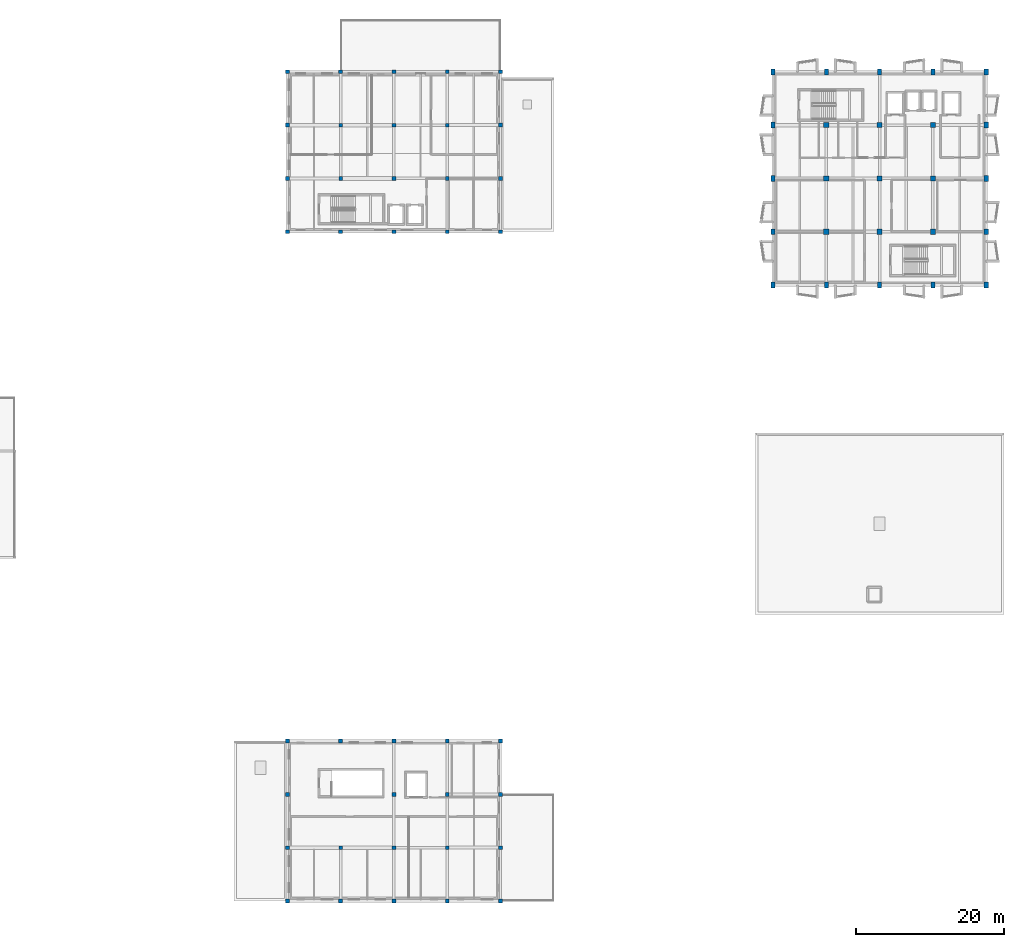
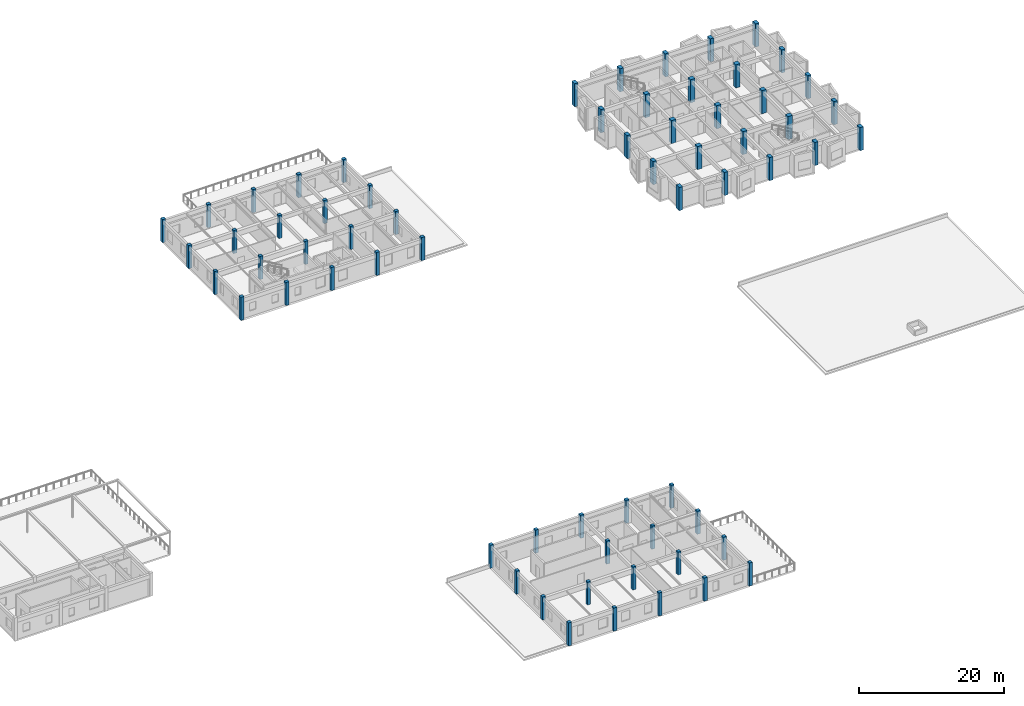
# One storey, part 3 of 20: 64 columns.
"""IFC4 building model written with IfcOpenShell, lengths in metres."""

from ifc_helpers import new_model, si_unit, direction, frame, origin, origin_2d, place, context, subcontext, project, spatial, rectangle, extrude, material, material_profile, profile_set, type_object, element, save


model = new_model("IFC4")

# Units and contexts
model_context = context("Model", 3, precision=1e-05, world=origin(), true_north=direction((0.0, 1.0)))
body_context = subcontext(model_context, "Body", "Model", "MODEL_VIEW")
ifc_project = project(units=[si_unit("LENGTHUNIT", "METRE"), si_unit("AREAUNIT", "SQUARE_METRE"), si_unit("VOLUMEUNIT", "CUBIC_METRE"), si_unit("PLANEANGLEUNIT", "RADIAN"), si_unit("MASSUNIT", "GRAM", prefix="KILO")], contexts=[model_context])

# Site, building, storey
site_placement = place(None, origin())
site = spatial("IfcSite", under=ifc_project, at=site_placement, CompositionType="ELEMENT")
building_placement = place(site_placement, origin())
building = spatial("IfcBuilding", under=site, at=building_placement, Name="Bramveld Media Centre", CompositionType="ELEMENT")
storey_placement = place(building_placement, frame((0.0, 0.0, 18.0)))
storey = spatial("IfcBuildingStorey", under=building, at=storey_placement, Name="L04", CompositionType="ELEMENT", Elevation=18.0)

# Columns
ifc_material_1 = material(Name="Concrete C40/50", Category="concrete")
ifc_material_profile_1 = material_profile(ifc_material_1, rectangle(XDim=0.52001953125, YDim=0.52001953125, at=origin_2d()), Name="RC 520x520")
ifc_profile_set_1 = profile_set([ifc_material_profile_1], Name="Concrete C40/50")
column_type_1 = type_object("IfcColumnType", Name="COL-EXT-RC-520x520", PredefinedType="COLUMN", material=ifc_profile_set_1)
for number, where, z_axis, x_axis, name in (
    (1, (65.60009765625, 0.0, 0.0), (0.0, 0.0, 1.0), (1.0, 0.0, 0.0), "V5 L04 column RC 520x520"),
    (2, (65.60009765625, 7.199951171875, 0.0), (0.0, 0.0, 1.0), (1.0, 0.0, 0.0), "V5 L04 column RC 520x520"),
    (3, (65.60009765625, 14.39990234375, 0.0), (0.0, 0.0, 1.0), (1.0, 0.0, 0.0), "V5 L04 column RC 520x520"),
    (4, (65.60009765625, 21.60009765625, 0.0), (0.0, 0.0, 1.0), (1.0, 0.0, 0.0), "V5 L04 column RC 520x520"),
    (5, (72.800048828125, 0.0, 0.0), (0.0, 0.0, 1.0), (1.0, 0.0, 0.0), "V5 L04 column RC 520x520"),
    (6, (72.800048828125, 21.60009765625, 0.0), (0.0, 0.0, 1.0), (1.0, 0.0, 0.0), "V5 L04 column RC 520x520"),
    (7, (80.0, 0.0, 0.0), (0.0, 0.0, 1.0), (1.0, 0.0, 0.0), "V5 L04 column RC 520x520"),
    (8, (80.0, 21.60009765625, 0.0), (0.0, 0.0, 1.0), (1.0, 0.0, 0.0), "V5 L04 column RC 520x520"),
    (9, (87.199951171875, 0.0, 0.0), (0.0, 0.0, 1.0), (1.0, 0.0, 0.0), "V5 L04 column RC 520x520"),
    (10, (87.199951171875, 21.60009765625, 0.0), (0.0, 0.0, 1.0), (1.0, 0.0, 0.0), "V5 L04 column RC 520x520"),
    (11, (94.39990234375, 0.0, 0.0), (0.0, 0.0, 1.0), (1.0, 0.0, 0.0), "V5 L04 column RC 520x520"),
    (12, (94.39990234375, 7.199951171875, 0.0), (0.0, 0.0, 1.0), (1.0, 0.0, 0.0), "V5 L04 column RC 520x520"),
    (13, (94.39990234375, 14.39990234375, 0.0), (0.0, 0.0, 1.0), (1.0, 0.0, 0.0), "V5 L04 column RC 520x520"),
    (14, (94.39990234375, 21.60009765625, 0.0), (0.0, 0.0, 1.0), (1.0, 0.0, 0.0), "V5 L04 column RC 520x520"),
    (15, (65.60009765625, 90.39990234375, 0.0), (0.0, 0.0, 1.0), (1.0, 0.0, 0.0), "V6 L04 column RC 520x520"),
    (16, (65.60009765625, 97.60009765625, 0.0), (0.0, 0.0, 1.0), (1.0, 0.0, 0.0), "V6 L04 column RC 520x520"),
    (17, (65.60009765625, 104.800048828125, 0.0), (0.0, 0.0, 1.0), (1.0, 0.0, 0.0), "V6 L04 column RC 520x520"),
    (18, (65.60009765625, 112.0, 0.0), (0.0, 0.0, 1.0), (1.0, 0.0, 0.0), "V6 L04 column RC 520x520"),
    (19, (72.800048828125, 90.39990234375, 0.0), (0.0, 0.0, 1.0), (1.0, 0.0, 0.0), "V6 L04 column RC 520x520"),
    (20, (72.800048828125, 112.0, 0.0), (0.0, 0.0, 1.0), (1.0, 0.0, 0.0), "V6 L04 column RC 520x520"),
    (21, (80.0, 90.39990234375, 0.0), (0.0, 0.0, 1.0), (1.0, 0.0, 0.0), "V6 L04 column RC 520x520"),
    (22, (80.0, 112.0, 0.0), (0.0, 0.0, 1.0), (1.0, 0.0, 0.0), "V6 L04 column RC 520x520"),
    (23, (87.199951171875, 90.39990234375, 0.0), (0.0, 0.0, 1.0), (1.0, 0.0, 0.0), "V6 L04 column RC 520x520"),
    (24, (87.199951171875, 112.0, 0.0), (0.0, 0.0, 1.0), (1.0, 0.0, 0.0), "V6 L04 column RC 520x520"),
    (25, (94.39990234375, 90.39990234375, 0.0), (0.0, 0.0, 1.0), (1.0, 0.0, 0.0), "V6 L04 column RC 520x520"),
    (26, (94.39990234375, 97.60009765625, 0.0), (0.0, 0.0, 1.0), (1.0, 0.0, 0.0), "V6 L04 column RC 520x520"),
    (27, (94.39990234375, 104.800048828125, 0.0), (0.0, 0.0, 1.0), (1.0, 0.0, 0.0), "V6 L04 column RC 520x520"),
    (28, (94.39990234375, 112.0, 0.0), (0.0, 0.0, 1.0), (1.0, 0.0, 0.0), "V6 L04 column RC 520x520"),
):
    element("IfcColumn", number, at=place(storey_placement, frame(where, z_axis=z_axis, x_axis=x_axis)), inside=storey, type_object=column_type_1, Name=name, PredefinedType="COLUMN", context=body_context, shape_type="SweptSolid", body=[
        extrude(rectangle(XDim=0.52001953125, YDim=0.52001953125, at=origin_2d()), origin(), (0.0, 0.0, 1.0), 3.89990234375),
    ])
ifc_material_2 = material(Name="Concrete C40/50", Category="concrete")
ifc_material_profile_2 = material_profile(ifc_material_2, rectangle(XDim=0.550048828125, YDim=0.800048828125, at=origin_2d()), Name="RC 550x800")
ifc_profile_set_2 = profile_set([ifc_material_profile_2], Name="Concrete C40/50")
column_type_2 = type_object("IfcColumnType", Name="COL-EXT-RC-550x800", PredefinedType="COLUMN", material=ifc_profile_set_2)
for number, where, z_axis, x_axis, name in (
    (29, (131.199951171875, 83.199951171875, 0.0), (0.0, 0.0, 1.0), (1.0, 0.0, 0.0), "V7 L04 column RC 550x800"),
    (30, (131.199951171875, 90.39990234375, 0.0), (0.0, 0.0, 1.0), (1.0, 0.0, 0.0), "V7 L04 column RC 550x800"),
    (31, (131.199951171875, 97.60009765625, 0.0), (0.0, 0.0, 1.0), (1.0, 0.0, 0.0), "V7 L04 column RC 550x800"),
    (32, (131.199951171875, 104.800048828125, 0.0), (0.0, 0.0, 1.0), (1.0, 0.0, 0.0), "V7 L04 column RC 550x800"),
    (33, (131.199951171875, 112.0, 0.0), (0.0, 0.0, 1.0), (1.0, 0.0, 0.0), "V7 L04 column RC 550x800"),
    (34, (138.39990234375, 83.199951171875, 0.0), (0.0, 0.0, 1.0), (1.0, 0.0, 0.0), "V7 L04 column RC 550x800"),
    (35, (138.39990234375, 112.0, 0.0), (0.0, 0.0, 1.0), (1.0, 0.0, 0.0), "V7 L04 column RC 550x800"),
    (36, (145.60009765625, 83.199951171875, 0.0), (0.0, 0.0, 1.0), (1.0, 0.0, 0.0), "V7 L04 column RC 550x800"),
    (37, (145.60009765625, 112.0, 0.0), (0.0, 0.0, 1.0), (1.0, 0.0, 0.0), "V7 L04 column RC 550x800"),
    (38, (152.800048828125, 83.199951171875, 0.0), (0.0, 0.0, 1.0), (1.0, 0.0, 0.0), "V7 L04 column RC 550x800"),
    (39, (152.800048828125, 112.0, 0.0), (0.0, 0.0, 1.0), (1.0, 0.0, 0.0), "V7 L04 column RC 550x800"),
    (40, (160.0, 83.199951171875, 0.0), (0.0, 0.0, 1.0), (1.0, 0.0, 0.0), "V7 L04 column RC 550x800"),
    (41, (160.0, 90.39990234375, 0.0), (0.0, 0.0, 1.0), (1.0, 0.0, 0.0), "V7 L04 column RC 550x800"),
    (42, (160.0, 97.60009765625, 0.0), (0.0, 0.0, 1.0), (1.0, 0.0, 0.0), "V7 L04 column RC 550x800"),
    (43, (160.0, 104.800048828125, 0.0), (0.0, 0.0, 1.0), (1.0, 0.0, 0.0), "V7 L04 column RC 550x800"),
    (44, (160.0, 112.0, 0.0), (0.0, 0.0, 1.0), (1.0, 0.0, 0.0), "V7 L04 column RC 550x800"),
):
    element("IfcColumn", number, at=place(storey_placement, frame(where, z_axis=z_axis, x_axis=x_axis)), inside=storey, type_object=column_type_2, Name=name, PredefinedType="COLUMN", context=body_context, shape_type="SweptSolid", body=[
        extrude(rectangle(XDim=0.550048828125, YDim=0.800048828125, at=origin_2d()), origin(), (0.0, 0.0, 1.0), 3.89990234375),
    ])
ifc_material_3 = material(Name="Concrete C40/50", Category="concrete")
ifc_material_profile_3 = material_profile(ifc_material_3, rectangle(XDim=0.5, YDim=0.5, at=origin_2d()), Name="RC 500x500")
ifc_profile_set_3 = profile_set([ifc_material_profile_3], Name="Concrete C40/50")
column_type_3 = type_object("IfcColumnType", Name="COL-INT-RC-500x500", PredefinedType="COLUMN", material=ifc_profile_set_3)
for number, where, z_axis, x_axis, name in (
    (45, (72.800048828125, 7.199951171875, 0.0), (0.0, 0.0, 1.0), (1.0, 0.0, 0.0), "V5 L04 column RC 500x500"),
    (46, (80.0, 7.199951171875, 0.0), (0.0, 0.0, 1.0), (1.0, 0.0, 0.0), "V5 L04 column RC 500x500"),
    (47, (80.0, 14.39990234375, 0.0), (0.0, 0.0, 1.0), (1.0, 0.0, 0.0), "V5 L04 column RC 500x500"),
    (48, (87.199951171875, 7.199951171875, 0.0), (0.0, 0.0, 1.0), (1.0, 0.0, 0.0), "V5 L04 column RC 500x500"),
    (49, (87.199951171875, 14.39990234375, 0.0), (0.0, 0.0, 1.0), (1.0, 0.0, 0.0), "V5 L04 column RC 500x500"),
    (50, (72.800048828125, 97.60009765625, 0.0), (0.0, 0.0, 1.0), (1.0, 0.0, 0.0), "V6 L04 column RC 500x500"),
    (51, (72.800048828125, 104.800048828125, 0.0), (0.0, 0.0, 1.0), (1.0, 0.0, 0.0), "V6 L04 column RC 500x500"),
    (52, (80.0, 97.60009765625, 0.0), (0.0, 0.0, 1.0), (1.0, 0.0, 0.0), "V6 L04 column RC 500x500"),
    (53, (80.0, 104.800048828125, 0.0), (0.0, 0.0, 1.0), (1.0, 0.0, 0.0), "V6 L04 column RC 500x500"),
    (54, (87.199951171875, 97.60009765625, 0.0), (0.0, 0.0, 1.0), (1.0, 0.0, 0.0), "V6 L04 column RC 500x500"),
    (55, (87.199951171875, 104.800048828125, 0.0), (0.0, 0.0, 1.0), (1.0, 0.0, 0.0), "V6 L04 column RC 500x500"),
):
    element("IfcColumn", number, at=place(storey_placement, frame(where, z_axis=z_axis, x_axis=x_axis)), inside=storey, type_object=column_type_3, Name=name, PredefinedType="COLUMN", context=body_context, shape_type="SweptSolid", body=[
        extrude(rectangle(XDim=0.5, YDim=0.5, at=origin_2d()), origin(), (0.0, 0.0, 1.0), 3.89990234375),
    ])
ifc_material_4 = material(Name="Concrete C40/50", Category="concrete")
ifc_material_profile_4 = material_profile(ifc_material_4, rectangle(XDim=0.699951171875, YDim=0.699951171875, at=origin_2d()), Name="RC 700x700")
ifc_profile_set_4 = profile_set([ifc_material_profile_4], Name="Concrete C40/50")
column_type_4 = type_object("IfcColumnType", Name="COL-INT-RC-700x700", PredefinedType="COLUMN", material=ifc_profile_set_4)
for number, where, z_axis, x_axis, name in (
    (56, (138.39990234375, 90.39990234375, 0.0), (0.0, 0.0, 1.0), (1.0, 0.0, 0.0), "V7 L04 column RC 700x700"),
    (57, (138.39990234375, 97.60009765625, 0.0), (0.0, 0.0, 1.0), (1.0, 0.0, 0.0), "V7 L04 column RC 700x700"),
    (58, (138.39990234375, 104.800048828125, 0.0), (0.0, 0.0, 1.0), (1.0, 0.0, 0.0), "V7 L04 column RC 700x700"),
    (59, (145.60009765625, 90.39990234375, 0.0), (0.0, 0.0, 1.0), (1.0, 0.0, 0.0), "V7 L04 column RC 700x700"),
    (60, (145.60009765625, 97.60009765625, 0.0), (0.0, 0.0, 1.0), (1.0, 0.0, 0.0), "V7 L04 column RC 700x700"),
    (61, (145.60009765625, 104.800048828125, 0.0), (0.0, 0.0, 1.0), (1.0, 0.0, 0.0), "V7 L04 column RC 700x700"),
    (62, (152.800048828125, 90.39990234375, 0.0), (0.0, 0.0, 1.0), (1.0, 0.0, 0.0), "V7 L04 column RC 700x700"),
    (63, (152.800048828125, 97.60009765625, 0.0), (0.0, 0.0, 1.0), (1.0, 0.0, 0.0), "V7 L04 column RC 700x700"),
    (64, (152.800048828125, 104.800048828125, 0.0), (0.0, 0.0, 1.0), (1.0, 0.0, 0.0), "V7 L04 column RC 700x700"),
):
    element("IfcColumn", number, at=place(storey_placement, frame(where, z_axis=z_axis, x_axis=x_axis)), inside=storey, type_object=column_type_4, Name=name, PredefinedType="COLUMN", context=body_context, shape_type="SweptSolid", body=[
        extrude(rectangle(XDim=0.699951171875, YDim=0.699951171875, at=origin_2d()), origin(), (0.0, 0.0, 1.0), 3.89990234375),
    ])

save(model, "model.ifc")
